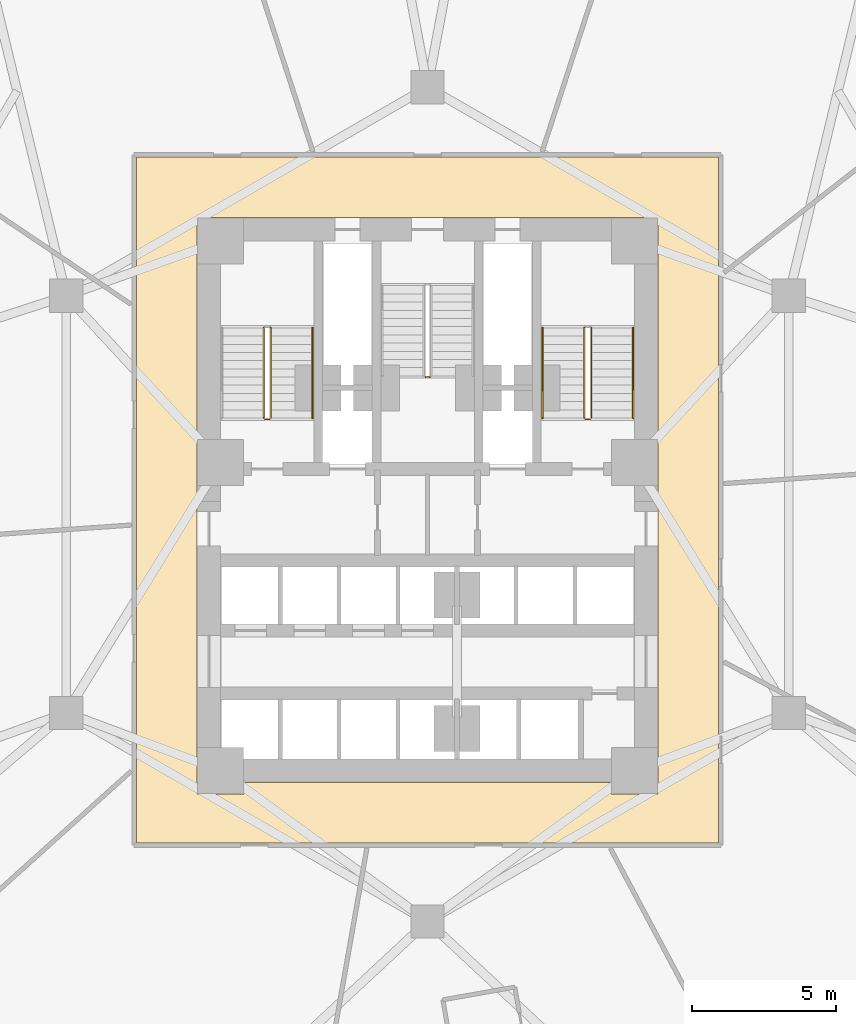
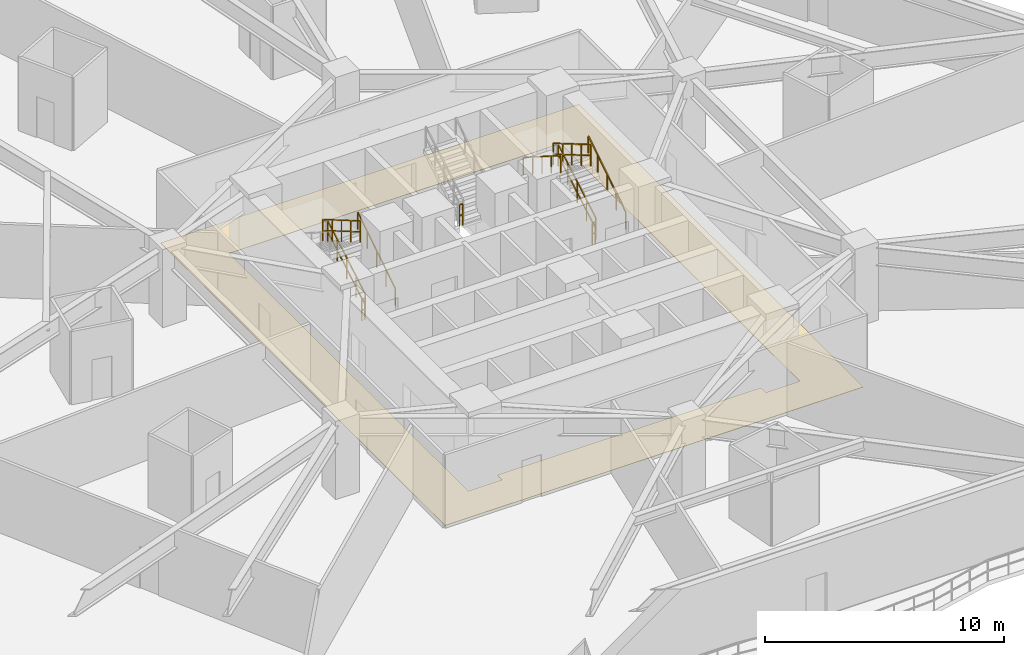
# One storey, part 9 of 12: 10 railings, 1 covering.
"""IFC4 building model written with IfcOpenShell, lengths in metres."""

from ifc_helpers import new_model, si_unit, direction, frame, origin, origin_2d, place, context, subcontext, project, spatial, polyline, rectangle, outline, extrude, material, layer, layer_set, type_object, element, save


model = new_model("IFC4")

# Units and contexts
model_context = context("Model", 3, precision=1e-05, world=origin(), true_north=direction((0.0, 1.0)))
body_context = subcontext(model_context, "Body", "Model", "MODEL_VIEW")
ifc_project = project(units=[si_unit("LENGTHUNIT", "METRE"), si_unit("AREAUNIT", "SQUARE_METRE"), si_unit("VOLUMEUNIT", "CUBIC_METRE"), si_unit("PLANEANGLEUNIT", "RADIAN"), si_unit("MASSUNIT", "GRAM", prefix="KILO")], contexts=[model_context])

# Site, building, storey
site_placement = place(None, origin())
site = spatial("IfcSite", under=ifc_project, at=site_placement, CompositionType="ELEMENT")
building_placement = place(site_placement, origin())
building = spatial("IfcBuilding", under=site, at=building_placement, Name="Apsidion Concourse Tower", CompositionType="ELEMENT")
storey_placement = place(building_placement, frame((0.0, 0.0, 34.39990234375)))
storey = spatial("IfcBuildingStorey", under=building, at=storey_placement, Name="L06", CompositionType="ELEMENT", Elevation=34.39990234375)

# Covering
ifc_material_1 = material(Name="Honed travertine floor finish", Category="masonry")
ifc_layer = layer(ifc_material_1, 0.02001953125)
ifc_layer_set = layer_set([ifc_layer], Name="Honed travertine floor finish")
covering_type = type_object("IfcCoveringType", Name="COV-FLOR-20", PredefinedType="FLOORING", material=ifc_layer_set)
covering_placement = place(storey_placement, origin())
element("IfcCovering", 1, at=covering_placement, inside=storey, type_object=covering_type, Name="L06 Honed Travertine Floor Finish 2", PredefinedType="FLOORING", context=body_context, shape_type="SweptSolid", body=[
    extrude(outline(polyline([(10.1201171875, 12.070068359375), (10.1201171875, -11.77001953125), (-10.1201171875, -11.77001953125), (-10.1201171875, 12.070068359375), (10.1201171875, 12.070068359375)]), holes=[polyline([(-8.02001953125, 9.949951171875), (-8.02001953125, 8.35009765625), (-8.02001953125, 2.25), (-8.02001953125, 0.64990234375), (-8.02001953125, -8.449951171875), (-8.02001953125, -9.669921875), (-8.02001953125, -10.050048828125), (-8.02001953125, -10.052001953125), (-8.01953125, -10.053955078125), (-8.01904296875, -10.055908203125), (-8.0185546875, -10.0576171875), (-8.017578125, -10.059326171875), (-8.0166015625, -10.06103515625), (-8.015380859375, -10.062744140625), (-8.01416015625, -10.064208984375), (-8.0126953125, -10.0654296875), (-8.010986328125, -10.066650390625), (-8.009521484375, -10.067626953125), (-8.0078125, -10.068603515625), (-8.005859375, -10.069091796875), (-8.00390625, -10.069580078125), (-8.001953125, -10.06982421875), (-8.0, -10.070068359375), (-6.39990234375, -10.070068359375), (-6.39794921875, -10.06982421875), (-6.39599609375, -10.069580078125), (-6.394287109375, -10.069091796875), (-6.392333984375, -10.068603515625), (-6.390625, -10.067626953125), (-6.388916015625, -10.066650390625), (-6.38720703125, -10.0654296875), (-6.385986328125, -10.064208984375), (-6.384521484375, -10.062744140625), (-6.38330078125, -10.06103515625), (-6.38232421875, -10.059326171875), (-6.381591796875, -10.0576171875), (-6.380859375, -10.055908203125), (-6.38037109375, -10.053955078125), (-6.380126953125, -10.052001953125), (-6.3798828125, -10.050048828125), (-6.3798828125, -9.669921875), (6.3798828125, -9.669921875), (6.3798828125, -10.050048828125), (6.380126953125, -10.052001953125), (6.38037109375, -10.053955078125), (6.380859375, -10.055908203125), (6.381591796875, -10.0576171875), (6.38232421875, -10.059326171875), (6.38330078125, -10.06103515625), (6.384521484375, -10.062744140625), (6.385986328125, -10.064208984375), (6.38720703125, -10.0654296875), (6.388916015625, -10.066650390625), (6.390625, -10.067626953125), (6.392333984375, -10.068603515625), (6.394287109375, -10.069091796875), (6.39599609375, -10.069580078125), (6.39794921875, -10.06982421875), (6.39990234375, -10.070068359375), (8.0, -10.070068359375), (8.001953125, -10.06982421875), (8.00390625, -10.069580078125), (8.005859375, -10.069091796875), (8.0078125, -10.068603515625), (8.009521484375, -10.067626953125), (8.010986328125, -10.066650390625), (8.0126953125, -10.0654296875), (8.01416015625, -10.064208984375), (8.015380859375, -10.062744140625), (8.0166015625, -10.06103515625), (8.017578125, -10.059326171875), (8.0185546875, -10.0576171875), (8.01904296875, -10.055908203125), (8.01953125, -10.053955078125), (8.02001953125, -10.052001953125), (8.02001953125, -10.050048828125), (8.02001953125, -9.669921875), (8.02001953125, -8.449951171875), (8.02001953125, 0.64990234375), (8.02001953125, 2.25), (8.02001953125, 8.35009765625), (8.02001953125, 9.949951171875), (8.02001953125, 9.969970703125), (8.0, 9.969970703125), (6.39990234375, 9.969970703125), (-6.39990234375, 9.969970703125), (-8.0, 9.969970703125), (-8.02001953125, 9.969970703125), (-8.02001953125, 9.949951171875)])]), origin(), (0.0, 0.0, 1.0), 0.02001953125),
])

# Railings
ifc_material_2 = material(Name="Brushed stainless steel 316", Category="steel")
railing_type_1 = type_object("IfcRailingType", Name="RL-GUARD-1100", PredefinedType="GUARDRAIL", material=ifc_material_2)
railing_1_placement = place(storey_placement, frame((-5.449951171875, 3.0, 0.166748046875)))
element("IfcRailing", 2, at=railing_1_placement, inside=storey, type_object=railing_type_1, Name="L06 ST1 stair guard 1", PredefinedType="GUARDRAIL", context=body_context, shape_type="SweptSolid", body=[
    extrude(rectangle(XDim=0.048095703125, YDim=0.048095703125, at=origin_2d()), frame((0.0, 0.0, 1.09619140625), z_axis=(0.0, 0.863239559939, 0.504794475164), x_axis=(-1.0, 0.0, 0.0)), (0.0, 0.0, 1.0), 3.631591796875),
    extrude(rectangle(XDim=0.048095703125, YDim=0.048095703125, at=origin_2d()), frame((0.0, 0.0, 0.5361328125), z_axis=(0.0, 0.863239559939, 0.504794475164), x_axis=(-1.0, 0.0, 0.0)), (0.0, 0.0, 1.0), 3.631591796875),
    extrude(rectangle(XDim=0.0419921875, YDim=0.0419921875, at=origin_2d()), origin(), (0.0, 0.0, 1.0), 1.072021484375),
    extrude(rectangle(XDim=0.0419921875, YDim=0.0419921875, at=origin_2d()), frame((0.0, 0.78369140625, 0.458251953125)), (0.0, 0.0, 1.0), 1.072021484375),
    extrude(rectangle(XDim=0.0419921875, YDim=0.0419921875, at=origin_2d()), frame((0.0, 1.5673828125, 0.91650390625)), (0.0, 0.0, 1.0), 1.072021484375),
    extrude(rectangle(XDim=0.0419921875, YDim=0.0419921875, at=origin_2d()), frame((0.0, 2.351318359375, 1.375)), (0.0, 0.0, 1.0), 1.072021484375),
    extrude(rectangle(XDim=0.0419921875, YDim=0.0419921875, at=origin_2d()), frame((0.0, 3.135009765625, 1.833251953125)), (0.0, 0.0, 1.0), 1.072021484375),
])
railing_2_placement = place(storey_placement, frame((-5.699951171875, 6.135009765625, 2.166748046875)))
element("IfcRailing", 3, at=railing_2_placement, inside=storey, type_object=railing_type_1, Name="L06 ST1 stair guard 3", PredefinedType="GUARDRAIL", context=body_context, shape_type="SweptSolid", body=[
    extrude(rectangle(XDim=0.048095703125, YDim=0.048095703125, at=origin_2d()), frame((0.0, 0.0, 1.09619140625), z_axis=(0.0, -0.863239559939, 0.504794475164), x_axis=(1.0, 0.0, 0.0)), (0.0, 0.0, 1.0), 3.631591796875),
    extrude(rectangle(XDim=0.048095703125, YDim=0.048095703125, at=origin_2d()), frame((0.0, 0.0, 0.5361328125), z_axis=(0.0, -0.863239559939, 0.504794475164), x_axis=(1.0, 0.0, 0.0)), (0.0, 0.0, 1.0), 3.631591796875),
    extrude(rectangle(XDim=0.0419921875, YDim=0.0419921875, at=origin_2d()), origin(), (0.0, 0.0, 1.0), 1.072021484375),
    extrude(rectangle(XDim=0.0419921875, YDim=0.0419921875, at=origin_2d()), frame((0.0, -0.78369140625, 0.458251953125)), (0.0, 0.0, 1.0), 1.072021484375),
    extrude(rectangle(XDim=0.0419921875, YDim=0.0419921875, at=origin_2d()), frame((0.0, -1.5673828125, 0.91650390625)), (0.0, 0.0, 1.0), 1.072021484375),
    extrude(rectangle(XDim=0.0419921875, YDim=0.0419921875, at=origin_2d()), frame((0.0, -2.351318359375, 1.375)), (0.0, 0.0, 1.0), 1.072021484375),
    extrude(rectangle(XDim=0.0419921875, YDim=0.0419921875, at=origin_2d()), frame((0.0, -3.135009765625, 1.833251953125)), (0.0, 0.0, 1.0), 1.072021484375),
])
railing_3_placement = place(storey_placement, frame((-5.5, 2.949951171875, 0.0)))
element("IfcRailing", 4, at=railing_3_placement, inside=storey, type_object=railing_type_1, Name="L06 ST1 stair guard 4", PredefinedType="GUARDRAIL", context=body_context, shape_type="SweptSolid", body=[
    extrude(rectangle(XDim=0.048095703125, YDim=0.048095703125, at=origin_2d()), frame((0.0, 0.0, 1.09619140625), z_axis=(-1.0, 0.0, 0.0), x_axis=(0.0, -1.0, 0.0)), (0.0, 0.0, 1.0), 0.14990234375),
    extrude(rectangle(XDim=0.048095703125, YDim=0.048095703125, at=origin_2d()), frame((0.0, 0.0, 0.5361328125), z_axis=(-1.0, 0.0, 0.0), x_axis=(0.0, -1.0, 0.0)), (0.0, 0.0, 1.0), 0.14990234375),
    extrude(rectangle(XDim=0.0419921875, YDim=0.0419921875, at=origin_2d()), origin(), (0.0, 0.0, 1.0), 1.072021484375),
    extrude(rectangle(XDim=0.0419921875, YDim=0.0419921875, at=origin_2d()), frame((-0.14990234375, 0.0, 0.0)), (0.0, 0.0, 1.0), 1.072021484375),
])
railing_4_placement = place(storey_placement, frame((5.699951171875, 3.0, 0.166748046875)))
element("IfcRailing", 5, at=railing_4_placement, inside=storey, type_object=railing_type_1, Name="L06 ST2 stair guard 1", PredefinedType="GUARDRAIL", context=body_context, shape_type="SweptSolid", body=[
    extrude(rectangle(XDim=0.048095703125, YDim=0.048095703125, at=origin_2d()), frame((0.0, 0.0, 1.09619140625), z_axis=(0.0, 0.863239559939, 0.504794475164), x_axis=(-1.0, 0.0, 0.0)), (0.0, 0.0, 1.0), 3.631591796875),
    extrude(rectangle(XDim=0.048095703125, YDim=0.048095703125, at=origin_2d()), frame((0.0, 0.0, 0.5361328125), z_axis=(0.0, 0.863239559939, 0.504794475164), x_axis=(-1.0, 0.0, 0.0)), (0.0, 0.0, 1.0), 3.631591796875),
    extrude(rectangle(XDim=0.0419921875, YDim=0.0419921875, at=origin_2d()), origin(), (0.0, 0.0, 1.0), 1.072021484375),
    extrude(rectangle(XDim=0.0419921875, YDim=0.0419921875, at=origin_2d()), frame((0.0, 0.78369140625, 0.458251953125)), (0.0, 0.0, 1.0), 1.072021484375),
    extrude(rectangle(XDim=0.0419921875, YDim=0.0419921875, at=origin_2d()), frame((0.0, 1.5673828125, 0.91650390625)), (0.0, 0.0, 1.0), 1.072021484375),
    extrude(rectangle(XDim=0.0419921875, YDim=0.0419921875, at=origin_2d()), frame((0.0, 2.351318359375, 1.375)), (0.0, 0.0, 1.0), 1.072021484375),
    extrude(rectangle(XDim=0.0419921875, YDim=0.0419921875, at=origin_2d()), frame((0.0, 3.135009765625, 1.833251953125)), (0.0, 0.0, 1.0), 1.072021484375),
])
railing_5_placement = place(storey_placement, frame((5.449951171875, 6.135009765625, 2.166748046875)))
element("IfcRailing", 6, at=railing_5_placement, inside=storey, type_object=railing_type_1, Name="L06 ST2 stair guard 3", PredefinedType="GUARDRAIL", context=body_context, shape_type="SweptSolid", body=[
    extrude(rectangle(XDim=0.048095703125, YDim=0.048095703125, at=origin_2d()), frame((0.0, 0.0, 1.09619140625), z_axis=(0.0, -0.863239559939, 0.504794475164), x_axis=(1.0, 0.0, 0.0)), (0.0, 0.0, 1.0), 3.631591796875),
    extrude(rectangle(XDim=0.048095703125, YDim=0.048095703125, at=origin_2d()), frame((0.0, 0.0, 0.5361328125), z_axis=(0.0, -0.863239559939, 0.504794475164), x_axis=(1.0, 0.0, 0.0)), (0.0, 0.0, 1.0), 3.631591796875),
    extrude(rectangle(XDim=0.0419921875, YDim=0.0419921875, at=origin_2d()), origin(), (0.0, 0.0, 1.0), 1.072021484375),
    extrude(rectangle(XDim=0.0419921875, YDim=0.0419921875, at=origin_2d()), frame((0.0, -0.78369140625, 0.458251953125)), (0.0, 0.0, 1.0), 1.072021484375),
    extrude(rectangle(XDim=0.0419921875, YDim=0.0419921875, at=origin_2d()), frame((0.0, -1.5673828125, 0.91650390625)), (0.0, 0.0, 1.0), 1.072021484375),
    extrude(rectangle(XDim=0.0419921875, YDim=0.0419921875, at=origin_2d()), frame((0.0, -2.351318359375, 1.375)), (0.0, 0.0, 1.0), 1.072021484375),
    extrude(rectangle(XDim=0.0419921875, YDim=0.0419921875, at=origin_2d()), frame((0.0, -3.135009765625, 1.833251953125)), (0.0, 0.0, 1.0), 1.072021484375),
])
railing_6_placement = place(storey_placement, frame((5.64990234375, 2.949951171875, 0.0)))
element("IfcRailing", 7, at=railing_6_placement, inside=storey, type_object=railing_type_1, Name="L06 ST2 stair guard 4", PredefinedType="GUARDRAIL", context=body_context, shape_type="SweptSolid", body=[
    extrude(rectangle(XDim=0.048095703125, YDim=0.048095703125, at=origin_2d()), frame((0.0, 0.0, 1.09619140625), z_axis=(-1.0, 0.0, 0.0), x_axis=(0.0, -1.0, 0.0)), (0.0, 0.0, 1.0), 0.14990234375),
    extrude(rectangle(XDim=0.048095703125, YDim=0.048095703125, at=origin_2d()), frame((0.0, 0.0, 0.5361328125), z_axis=(-1.0, 0.0, 0.0), x_axis=(0.0, -1.0, 0.0)), (0.0, 0.0, 1.0), 0.14990234375),
    extrude(rectangle(XDim=0.0419921875, YDim=0.0419921875, at=origin_2d()), origin(), (0.0, 0.0, 1.0), 1.072021484375),
    extrude(rectangle(XDim=0.0419921875, YDim=0.0419921875, at=origin_2d()), frame((-0.14990234375, 0.0, 0.0)), (0.0, 0.0, 1.0), 1.072021484375),
])
railing_7_placement = place(storey_placement, frame((-0.074951171875, 4.4150390625, 2.0)))
element("IfcRailing", 8, at=railing_7_placement, inside=storey, type_object=railing_type_1, Name="L06 ST3 stair guard 2", PredefinedType="GUARDRAIL", context=body_context, shape_type="SweptSolid", body=[
    extrude(rectangle(XDim=0.048095703125, YDim=0.048095703125, at=origin_2d()), frame((0.0, 0.0, 1.09619140625), z_axis=(1.0, 0.0, 0.0), x_axis=(0.0, 1.0, 0.0)), (0.0, 0.0, 1.0), 0.14990234375),
    extrude(rectangle(XDim=0.048095703125, YDim=0.048095703125, at=origin_2d()), frame((0.0, 0.0, 0.5361328125), z_axis=(1.0, 0.0, 0.0), x_axis=(0.0, 1.0, 0.0)), (0.0, 0.0, 1.0), 0.14990234375),
    extrude(rectangle(XDim=0.0419921875, YDim=0.0419921875, at=origin_2d()), origin(), (0.0, 0.0, 1.0), 1.072021484375),
    extrude(rectangle(XDim=0.0419921875, YDim=0.0419921875, at=origin_2d()), frame((0.14990234375, 0.0, 0.0)), (0.0, 0.0, 1.0), 1.072021484375),
])
railing_type_2 = type_object("IfcRailingType", Name="RL-HAND-900", PredefinedType="HANDRAIL", material=ifc_material_2)
for number, where, name in (
    (9, (-4.0, 3.0, 0.166748046875), "L06 ST1 stair handrail 1"),
    (10, (7.14990234375, 3.0, 0.166748046875), "L06 ST2 stair handrail 1"),
):
    element("IfcRailing", number, at=place(storey_placement, frame(where)), inside=storey, type_object=railing_type_2, Name=name, PredefinedType="HANDRAIL", context=body_context, shape_type="SweptSolid", body=[
        extrude(rectangle(XDim=0.048095703125, YDim=0.048095703125, at=origin_2d()), frame((0.0, 0.0, 0.8759765625), z_axis=(0.0, 0.843052688722, 0.537830980921), x_axis=(-1.0, 0.0, 0.0)), (0.0, 0.0, 1.0), 3.71875),
        extrude(rectangle(XDim=0.0419921875, YDim=0.0419921875, at=origin_2d()), origin(), (0.0, 0.0, 1.0), 0.851806640625),
        extrude(rectangle(XDim=0.0419921875, YDim=0.0419921875, at=origin_2d()), frame((0.0, 0.78369140625, 0.5)), (0.0, 0.0, 1.0), 0.851806640625),
        extrude(rectangle(XDim=0.0419921875, YDim=0.0419921875, at=origin_2d()), frame((0.0, 1.5673828125, 1.0)), (0.0, 0.0, 1.0), 0.851806640625),
        extrude(rectangle(XDim=0.0419921875, YDim=0.0419921875, at=origin_2d()), frame((0.0, 2.351318359375, 1.5)), (0.0, 0.0, 1.0), 0.851806640625),
        extrude(rectangle(XDim=0.0419921875, YDim=0.0419921875, at=origin_2d()), frame((0.0, 3.135009765625, 2.0)), (0.0, 0.0, 1.0), 0.851806640625),
    ])
railing_8_placement = place(storey_placement, frame((4.0, 6.135009765625, 2.166748046875)))
element("IfcRailing", 11, at=railing_8_placement, inside=storey, type_object=railing_type_2, Name="L06 ST2 stair handrail 2", PredefinedType="HANDRAIL", context=body_context, shape_type="SweptSolid", body=[
    extrude(rectangle(XDim=0.048095703125, YDim=0.048095703125, at=origin_2d()), frame((0.0, 0.0, 0.8759765625), z_axis=(0.0, -0.843052688722, 0.537830980921), x_axis=(1.0, 0.0, 0.0)), (0.0, 0.0, 1.0), 3.71875),
    extrude(rectangle(XDim=0.0419921875, YDim=0.0419921875, at=origin_2d()), origin(), (0.0, 0.0, 1.0), 0.851806640625),
    extrude(rectangle(XDim=0.0419921875, YDim=0.0419921875, at=origin_2d()), frame((0.0, -0.78369140625, 0.5)), (0.0, 0.0, 1.0), 0.851806640625),
    extrude(rectangle(XDim=0.0419921875, YDim=0.0419921875, at=origin_2d()), frame((0.0, -1.5673828125, 1.0)), (0.0, 0.0, 1.0), 0.851806640625),
    extrude(rectangle(XDim=0.0419921875, YDim=0.0419921875, at=origin_2d()), frame((0.0, -2.351318359375, 1.5)), (0.0, 0.0, 1.0), 0.851806640625),
    extrude(rectangle(XDim=0.0419921875, YDim=0.0419921875, at=origin_2d()), frame((0.0, -3.135009765625, 2.0)), (0.0, 0.0, 1.0), 0.851806640625),
])

save(model, "model.ifc")
